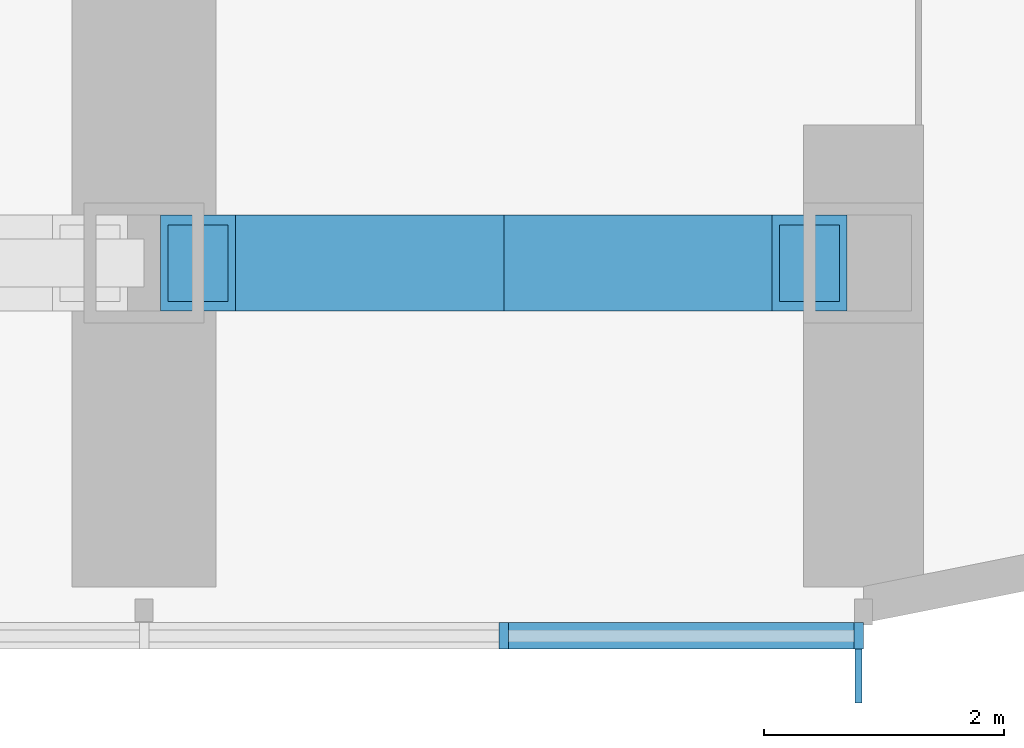
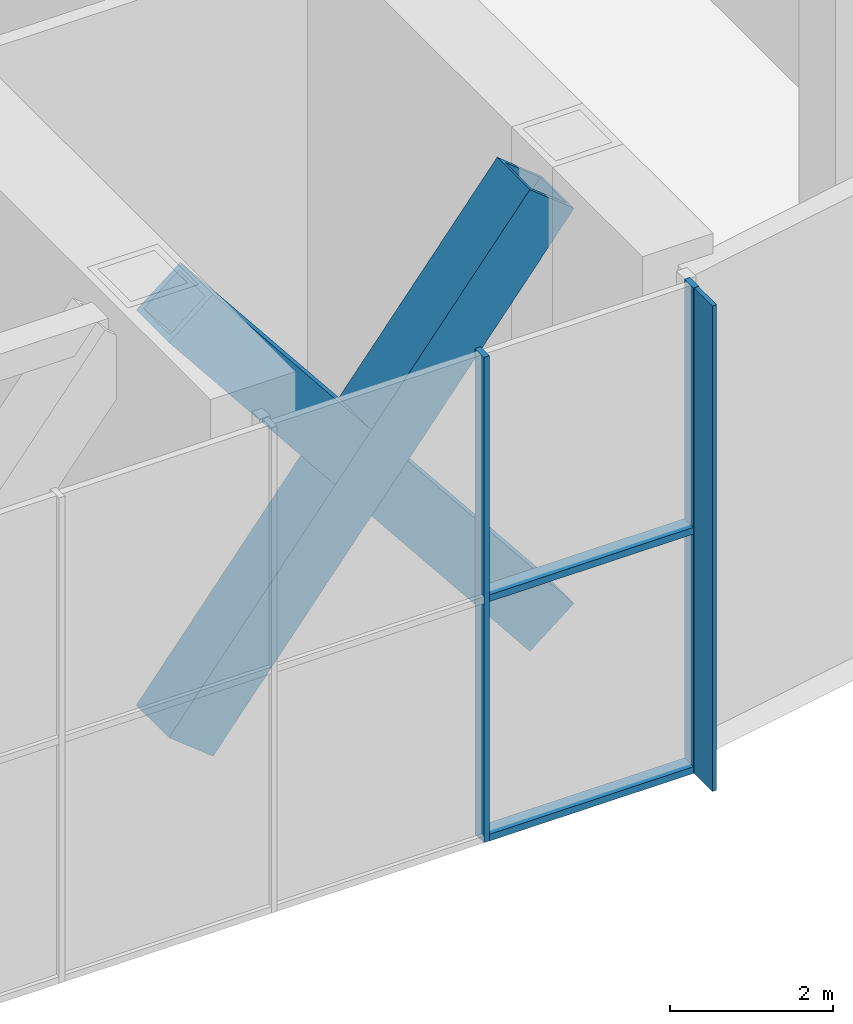
# One storey, part 6 of 24: 7 members, 1 element without a shape of its own.
"""IFC4 building model written with IfcOpenShell, lengths in metres."""

from ifc_helpers import new_model, si_unit, direction, frame, origin, origin_2d, place, context, subcontext, project, spatial, rectangle, hollow_rectangle, extrude, material, material_profile, profile_set, type_object, element, aggregate, save


model = new_model("IFC4")

# Units and contexts
model_context = context("Model", 3, precision=1e-05, world=origin(), true_north=direction((0.0, 1.0)))
body_context = subcontext(model_context, "Body", "Model", "MODEL_VIEW")
ifc_project = project(units=[si_unit("LENGTHUNIT", "METRE"), si_unit("AREAUNIT", "SQUARE_METRE"), si_unit("VOLUMEUNIT", "CUBIC_METRE"), si_unit("PLANEANGLEUNIT", "RADIAN"), si_unit("MASSUNIT", "GRAM", prefix="KILO")], contexts=[model_context])

# Site, building, storey
site_placement = place(None, origin())
site = spatial("IfcSite", under=ifc_project, at=site_placement, CompositionType="ELEMENT")
building_placement = place(site_placement, origin())
building = spatial("IfcBuilding", under=site, at=building_placement, Name="Orbita Commons", CompositionType="ELEMENT")
storey_placement = place(building_placement, frame((0.0, 0.0, 68.949951171875)))
storey = spatial("IfcBuildingStorey", under=building, at=storey_placement, Name="L17", CompositionType="ELEMENT", Elevation=68.949951171875)

# Members
ifc_material_1 = material(Name="Steel ASTM A572 Gr 50 welded plate", Category="steel")
ifc_material_profile_1 = material_profile(ifc_material_1, hollow_rectangle(XDim=0.800048828125, YDim=0.800048828125, WallThickness=0.080078125, at=origin_2d()), Name="BOX 800x800x80")
ifc_profile_set_1 = profile_set([ifc_material_profile_1], Name="Steel ASTM A572 Gr 50 welded plate")
member_type_1 = type_object("IfcMemberType", Name="Belt truss diagonal BOX 800x800x80", PredefinedType="BRACE", material=ifc_profile_set_1)
for number, where, z_axis, x_axis, name in (
    (1, (66.449951171875, 10.39990234375, 0.25), (0.623202279578, 0.0, 0.782060687369), (0.0, 1.0, 0.0), "Belt truss diagonal B 12-13 rising L17"),
    (2, (66.449951171875, 10.39990234375, 6.650146484375), (0.623202279578, 0.0, -0.782060687369), (0.0, 1.0, 0.0), "Belt truss diagonal B 12-13 falling L17"),
):
    element("IfcMember", number, at=place(storey_placement, frame(where, z_axis=z_axis, x_axis=x_axis)), inside=storey, type_object=member_type_1, Name=name, PredefinedType="BRACE", context=body_context, shape_type="SweptSolid", body=[
        extrude(hollow_rectangle(XDim=0.800048828125, YDim=0.800048828125, WallThickness=0.080078125, at=origin_2d()), origin(), (0.0, 0.0, 1.0), 8.18359375),
    ])

# Curtain wall, members
ifc_material_2 = material(Name="Anodised aluminium frame, pale silver", Category="aluminium")
curtain_wall_type = type_object("IfcCurtainWallType", Name="Louvred curtain wall CW-V", PredefinedType="NOTDEFINED", material=ifc_material_2)
curtain_wall_placement = place(storey_placement, origin())
curtain_wall = element("IfcCurtainWall", 3, at=curtain_wall_placement, inside=storey, type_object=curtain_wall_type, Name="Curtain wall south L17", PredefinedType="NOTDEFINED")
ifc_material_3 = material(Name="Anodised aluminium, pale silver", Category="aluminium")
ifc_material_profile_2 = material_profile(ifc_material_3, rectangle(XDim=0.080078125, YDim=0.219970703125, at=origin_2d()), Name="AL 80x220")
ifc_profile_set_2 = profile_set([ifc_material_profile_2], Name="Anodised aluminium, pale silver")
member_type_2 = type_object("IfcMemberType", Name="Curtain wall mullion 80x220", PredefinedType="MULLION", material=ifc_profile_set_2)
member_1_placement = place(storey_placement, frame((69.0, 7.2900390625, -0.349853515625), z_axis=(0.0, 0.0, 1.0), x_axis=(1.0, 0.0, 0.0)))
member_1 = element("IfcMember", 4, at=member_1_placement, type_object=member_type_2, Name="Mullion 20 CW-L17-S", PredefinedType="MULLION", context=body_context, shape_type="SweptSolid", body=[
    extrude(rectangle(XDim=0.080078125, YDim=0.219970703125, at=origin_2d()), origin(), (0.0, 0.0, 1.0), 7.25),
])
member_2_placement = place(storey_placement, frame((71.9599609375, 7.2900390625, -0.349853515625), z_axis=(0.0, 0.0, 1.0), x_axis=(1.0, 0.0, 0.0)))
member_2 = element("IfcMember", 5, at=member_2_placement, type_object=member_type_2, Name="Mullion 21 CW-L17-S", PredefinedType="MULLION", context=body_context, shape_type="SweptSolid", body=[
    extrude(rectangle(XDim=0.080078125, YDim=0.219970703125, at=origin_2d()), origin(), (0.0, 0.0, 1.0), 7.25),
])
ifc_material_4 = material(Name="Anodised aluminium, pale silver", Category="aluminium")
ifc_material_profile_3 = material_profile(ifc_material_4, rectangle(XDim=0.219970703125, YDim=0.10009765625, at=origin_2d()), Name="AL 220x100")
ifc_profile_set_3 = profile_set([ifc_material_profile_3], Name="Anodised aluminium, pale silver")
member_type_3 = type_object("IfcMemberType", Name="Curtain wall stack transom 220x100", PredefinedType="USERDEFINED", material=ifc_profile_set_3)
member_3_placement = place(storey_placement, frame((69.0400390625, 7.2900390625, -0.300048828125), z_axis=(1.0, 0.0, 0.0), x_axis=(0.0, 1.0, 0.0)))
member_3 = element("IfcMember", 6, at=member_3_placement, type_object=member_type_3, Name="Transom 20.1 CW-L17-S", ObjectType="TRANSOM", PredefinedType="USERDEFINED", context=body_context, shape_type="SweptSolid", body=[
    extrude(rectangle(XDim=0.219970703125, YDim=0.10009765625, at=origin_2d()), origin(), (0.0, 0.0, 1.0), 2.8798828125),
])
member_4_placement = place(storey_placement, frame((69.0400390625, 7.2900390625, 3.275146484375), z_axis=(1.0, 0.0, 0.0), x_axis=(0.0, 1.0, 0.0)))
member_4 = element("IfcMember", 7, at=member_4_placement, type_object=member_type_3, Name="Transom 20.2 CW-L17-S", ObjectType="TRANSOM", PredefinedType="USERDEFINED", context=body_context, shape_type="SweptSolid", body=[
    extrude(rectangle(XDim=0.219970703125, YDim=0.10009765625, at=origin_2d()), origin(), (0.0, 0.0, 1.0), 2.8798828125),
])
ifc_material_5 = material(Name="Anodised aluminium, pale silver", Category="aluminium")
ifc_material_profile_4 = material_profile(ifc_material_5, rectangle(XDim=0.06005859375, YDim=0.449951171875, at=origin_2d()), Name="FIN 60x450")
ifc_profile_set_4 = profile_set([ifc_material_profile_4], Name="Anodised aluminium, pale silver")
member_type_4 = type_object("IfcMemberType", Name="Vertical fin 60x450 pale aluminium", PredefinedType="USERDEFINED", material=ifc_profile_set_4)
member_5_placement = place(storey_placement, frame((71.9599609375, 6.955078125, -0.349853515625), z_axis=(0.0, 0.0, 1.0), x_axis=(1.0, 0.0, 0.0)))
member_5 = element("IfcMember", 8, at=member_5_placement, type_object=member_type_4, Name="Fin 21 CW-L17-S", ObjectType="FIN", PredefinedType="USERDEFINED", context=body_context, shape_type="SweptSolid", body=[
    extrude(rectangle(XDim=0.06005859375, YDim=0.449951171875, at=origin_2d()), origin(), (0.0, 0.0, 1.0), 7.25),
])
aggregate(curtain_wall, [member_1, member_2, member_5, member_3, member_4])

save(model, "model.ifc")
